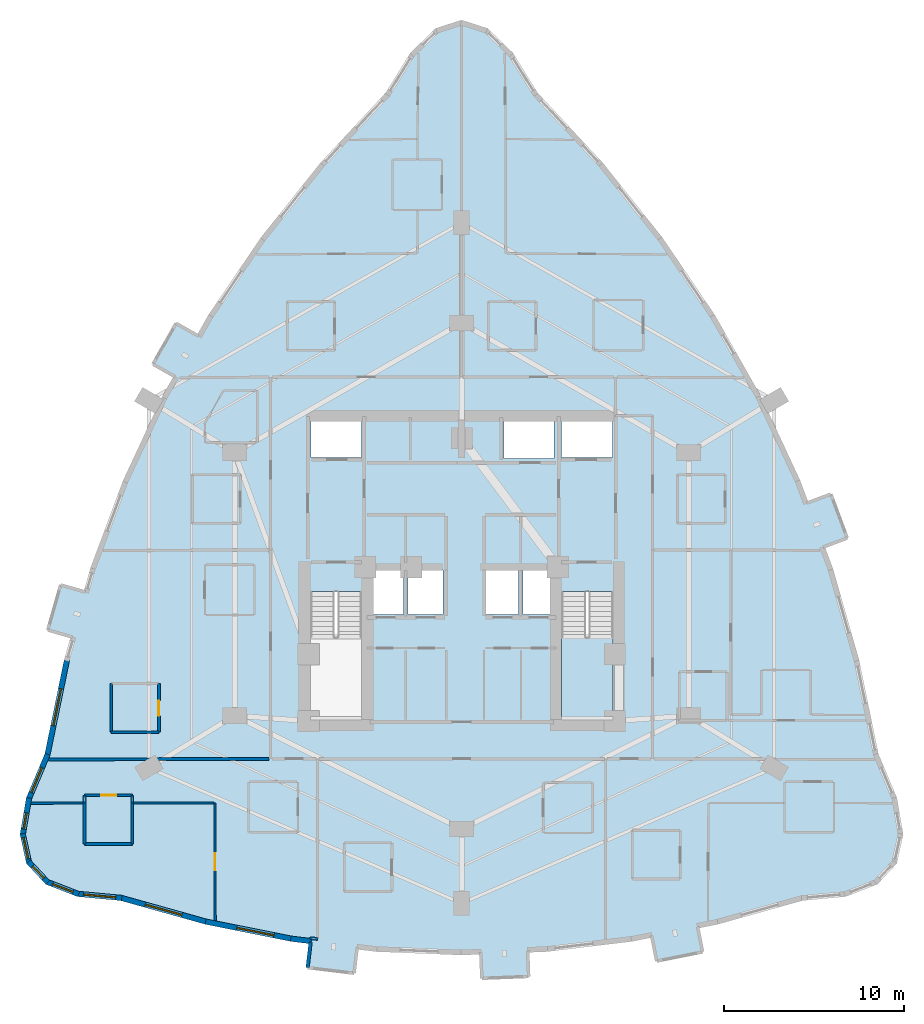
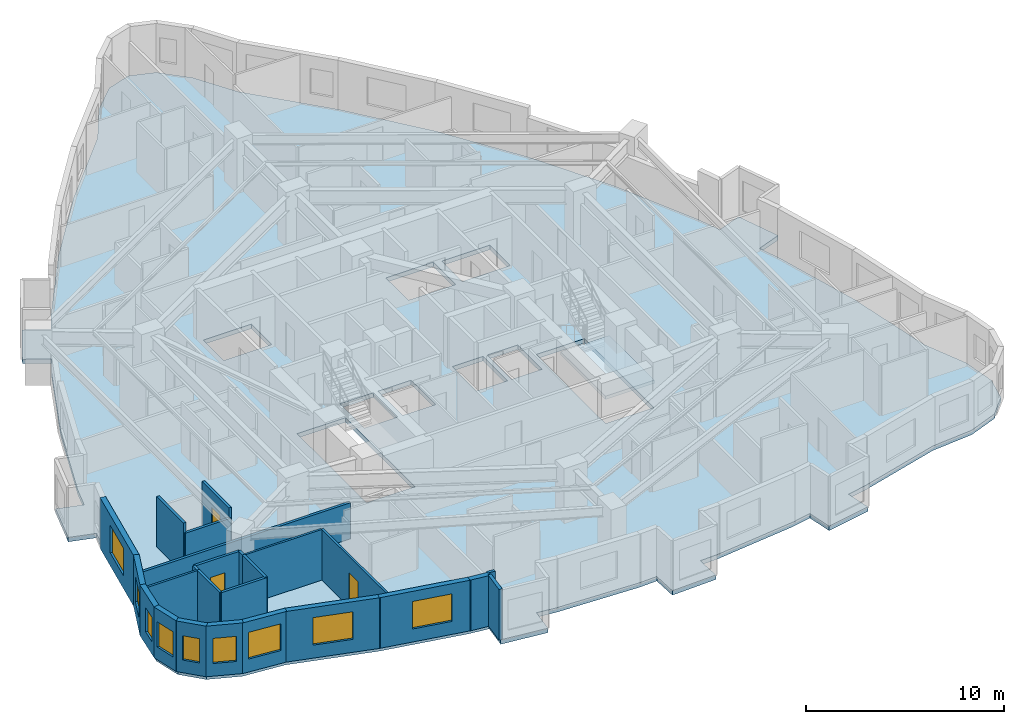
# One storey, part 4 of 11: 25 walls, 9 windows, 3 doors, 2 slabs, 12 openings, 1 element without a shape of its own.
"""IFC4 building model written with IfcOpenShell, lengths in metres."""

from ifc_helpers import new_model, si_unit, direction, frame, frame_2d, origin, place, context, subcontext, project, spatial, polyline, rectangle, outline, extrude, material, layer, layer_set, type_object, element, fill, aggregate, save


model = new_model("IFC4")

# Units and contexts
model_context = context("Model", 3, precision=1e-05, world=origin(), true_north=direction((0.0, 1.0)))
body_context = subcontext(model_context, "Body", "Model", "MODEL_VIEW")
ifc_project = project(units=[si_unit("LENGTHUNIT", "METRE"), si_unit("AREAUNIT", "SQUARE_METRE"), si_unit("VOLUMEUNIT", "CUBIC_METRE"), si_unit("PLANEANGLEUNIT", "RADIAN"), si_unit("MASSUNIT", "GRAM", prefix="KILO")], contexts=[model_context])

# Site, building, storey
site_placement = place(None, origin())
site = spatial("IfcSite", under=ifc_project, at=site_placement, CompositionType="ELEMENT")
building_placement = place(site_placement, origin())
building = spatial("IfcBuilding", under=site, at=building_placement, Name="Miruveldt Soraemaru", CompositionType="ELEMENT")
storey_placement = place(building_placement, frame((0.0, 0.0, 66.60009765625)))
storey = spatial("IfcBuildingStorey", under=building, at=storey_placement, Name="L18", CompositionType="ELEMENT", Elevation=66.60009765625)

# Stair, slab
ifc_material_1 = material(Name="Concrete C40/50 (40 MPa)", Category="concrete")
stair_type = type_object("IfcStairType", Name="STAIR-DL-340", PredefinedType="HALF_TURN_STAIR", material=ifc_material_1)
stair_placement = place(storey_placement, origin())
stair = element("IfcStair", 1, at=stair_placement, inside=storey, type_object=stair_type, Name="L18 Protected Exit Stair ST-2", PredefinedType="HALF_TURN_STAIR")
ifc_layer_1 = layer(ifc_material_1, 0.199951171875, Name="Concrete C40/50 (40 MPa)", Category="concrete")
ifc_layer_set_1 = layer_set([ifc_layer_1], Name="Concrete C40/50 (40 MPa)")
slab_type_1 = type_object("IfcSlabType", Name="SLAB-LAND-200", PredefinedType="LANDING", material=ifc_layer_set_1)
slab_1_placement = place(storey_placement, frame((0.0, 0.0, 1.5)))
slab_1 = element("IfcSlab", 2, at=slab_1_placement, type_object=slab_type_1, Name="ST-2 landing 1", PredefinedType="LANDING", context=body_context, shape_type="SweptSolid", body=[
    extrude(outline(polyline([(49.550048828125, 40.197998046875), (49.550048828125, 35.64990234375), (52.39990234375, 35.64990234375), (52.39990234375, 40.197998046875), (49.550048828125, 40.197998046875)])), origin(), (0.0, 0.0, 1.0), 0.199951171875),
])
aggregate(stair, [slab_1])

# Slab
ifc_layer_2 = layer(ifc_material_1, 0.27490234375, Name="Concrete C40/50 (40 MPa)", Category="concrete")
ifc_layer_set_2 = layer_set([ifc_layer_2], Name="Concrete C40/50 (40 MPa)")
slab_type_2 = type_object("IfcSlabType", Name="SLAB-RES1-275", PredefinedType="FLOOR", material=ifc_layer_set_2)
slab_2_placement = place(storey_placement, frame((0.0, 0.0, -0.275146484375)))
element("IfcSlab", 3, at=slab_2_placement, inside=storey, type_object=slab_type_2, Name="L18 Structural Floor Slab", PredefinedType="FLOOR", context=body_context, shape_type="SweptSolid", body=[
    extrude(outline(polyline([(45.122802734375, 21.22021484375), (45.063720703125, 22.698974609375), (46.362548828125, 22.7509765625), (44.0, 22.656494140625), (39.27490234375, 22.845458984375), (36.912353515625, 23.12890625), (38.203125, 22.97412109375), (38.02685546875, 21.504638671875), (35.4453125, 21.814453125), (35.62158203125, 23.283935546875), (34.5498046875, 23.41259765625), (29.82470703125, 24.357421875), (25.099609375, 25.6806640625), (22.7099609375, 25.9013671875), (21.003173828125, 26.5634765625), (19.97900390625, 27.667236328125), (19.6376953125, 29.21240234375), (19.97900390625, 31.19921875), (21.003173828125, 33.62744140625), (22.08251953125, 38.8720703125), (22.805419921875, 41.39990234375), (22.447998046875, 40.14990234375), (21.02490234375, 40.556884765625), (21.739990234375, 43.056640625), (23.162841796875, 42.649658203125), (23.5283203125, 43.927490234375), (25.3408203125, 48.794189453125), (27.520263671875, 53.4716796875), (28.15185546875, 54.585205078125), (26.864501953125, 55.315185546875), (28.14697265625, 57.576904296875), (29.434326171875, 56.8466796875), (28.793212890625, 55.716064453125), (30.06591796875, 57.960205078125), (32.978515625, 62.260009765625), (36.2578125, 66.37060546875), (39.903564453125, 70.2919921875), (41.26904296875, 72.49951171875), (42.634521484375, 73.823974609375), (44.0, 74.265380859375), (45.365478515625, 73.823974609375), (46.73095703125, 72.49951171875), (48.096435546875, 70.2919921875), (51.7421875, 66.37060546875), (55.021484375, 62.260009765625), (57.93408203125, 57.960205078125), (60.479736328125, 53.4716796875), (62.6591796875, 48.794189453125), (63.111572265625, 47.5791015625), (64.49853515625, 48.095703125), (65.406005859375, 45.6591796875), (64.01904296875, 45.142578125), (63.565185546875, 46.36083984375), (64.4716796875, 43.927490234375), (65.91748046875, 38.8720703125), (66.996826171875, 33.62744140625), (68.02099609375, 31.19921875), (68.3623046875, 29.21240234375), (68.02099609375, 27.667236328125), (66.996826171875, 26.5634765625), (65.2900390625, 25.9013671875), (62.900390625, 25.6806640625), (58.17529296875, 24.357421875), (57.08740234375, 24.139892578125), (57.377685546875, 22.688720703125), (54.828125, 22.1787109375), (54.537841796875, 23.6298828125), (55.812744140625, 23.885009765625), (53.4501953125, 23.41259765625), (48.72509765625, 22.845458984375), (47.66162109375, 22.802978515625), (47.720703125, 21.32421875), (45.122802734375, 21.22021484375)]), holes=[polyline([(35.614990234375, 35.6650390625), (38.43505859375, 35.6650390625), (38.43505859375, 42.68505859375), (35.614990234375, 42.68505859375), (35.614990234375, 35.6650390625)]), polyline([(49.56494140625, 35.6650390625), (52.385009765625, 35.6650390625), (52.385009765625, 42.68505859375), (49.56494140625, 42.68505859375), (49.56494140625, 35.6650390625)]), polyline([(40.764892578125, 41.4150390625), (40.764892578125, 43.885009765625), (38.81494140625, 43.885009765625), (38.81494140625, 41.4150390625), (40.764892578125, 41.4150390625)]), polyline([(42.965087890625, 41.4150390625), (42.965087890625, 43.885009765625), (41.034912109375, 43.885009765625), (41.034912109375, 41.4150390625), (42.965087890625, 41.4150390625)]), polyline([(47.1650390625, 41.4150390625), (47.1650390625, 43.885009765625), (45.364990234375, 43.885009765625), (45.364990234375, 41.4150390625), (47.1650390625, 41.4150390625)]), polyline([(49.18505859375, 41.4150390625), (49.18505859375, 43.885009765625), (47.39501953125, 43.885009765625), (47.39501953125, 41.4150390625), (49.18505859375, 41.4150390625)]), polyline([(38.445068359375, 50.135009765625), (38.445068359375, 52.205078125), (35.635009765625, 52.205078125), (35.635009765625, 50.135009765625), (38.445068359375, 50.135009765625)]), polyline([(49.554931640625, 50.135009765625), (52.364990234375, 50.135009765625), (52.364990234375, 52.205078125), (49.554931640625, 52.205078125), (49.554931640625, 50.135009765625)]), polyline([(46.364990234375, 50.06494140625), (49.135009765625, 50.06494140625), (49.135009765625, 52.3349609375), (46.364990234375, 52.3349609375), (46.364990234375, 50.06494140625)])]), origin(), (0.0, 0.0, 1.0), 0.275146484375),
])

# Wall
ifc_material_2 = material(Name="White powder-coated aluminium EN AW-6060 T6", Category="aluminium")
ifc_layer_3 = layer(ifc_material_2, 0.18994140625, Name="White powder-coated aluminium EN AW-6060 T6", Category="aluminium")
ifc_layer_set_3 = layer_set([ifc_layer_3], Name="White powder-coated aluminium EN AW-6060 T6")
wall_type_1 = type_object("IfcWallType", Name="WALL-BAY-ALU190", PredefinedType="SOLIDWALL", material=ifc_layer_set_3)
wall_1_placement = place(storey_placement, frame((35.614990234375, 23.229248046875, 0.0), z_axis=(0.0, 0.0, 1.0), x_axis=(-0.119077659317, -0.992884943511, 0.0)))
element("IfcWall", 4, at=wall_1_placement, inside=storey, type_object=wall_type_1, Name="L18 Bay Window Side Cheek 3L", PredefinedType="SOLIDWALL", context=body_context, shape_type="SweptSolid", body=[
    extrude(rectangle(XDim=1.425048828125, YDim=0.18994140625, at=frame_2d((0.71240234375, 0.0))), origin(), (0.0, 0.0, 1.0), 3.125),
])

# Wall, opening, window
ifc_material_3 = material(Name="Precast concrete C45/55 (45 MPa)", Category="concrete")
ifc_layer_4 = layer(ifc_material_3, 0.300048828125, Name="Precast concrete C45/55 (45 MPa)", Category="concrete")
ifc_layer_set_4 = layer_set([ifc_layer_4], Name="Precast concrete C45/55 (45 MPa)")
wall_type_2 = type_object("IfcWallType", Name="WALL-EXT-PC300", PredefinedType="SOLIDWALL", material=ifc_layer_set_4)
wall_2_placement = place(storey_placement, frame((22.089599609375, 38.90625, 0.0), z_axis=(0.0, 0.0, 1.0), x_axis=(-0.201583076405, -0.979471420363, 0.0)))
wall_2 = element("IfcWall", 5, at=wall_2_placement, inside=storey, type_object=wall_type_2, Name="L18 Precast Concrete Facade Wall 14", PredefinedType="SOLIDWALL", context=body_context, shape_type="SweptSolid", body=[
    extrude(rectangle(XDim=5.424560546875, YDim=0.300048828125, at=frame_2d((2.71240234375, 0.0))), origin(), (0.0, 0.0, 1.0), 3.125),
])
opening_1_placement = place(wall_2_placement, frame((1.64501953125, 0.0, 0.800048828125)))
opening_1 = element("IfcOpeningElement", 6, at=opening_1_placement, cuts=wall_2, Name="Opening WN-1", PredefinedType="OPENING", context=body_context, shape_type="SweptSolid", body=[
    extrude(rectangle(XDim=2.10009765625, YDim=1.699951171875, at=frame_2d((1.050048828125, 0.85009765625))), frame((0.0, 0.16015625, 0.0), z_axis=(0.0, -1.0, 0.0), x_axis=(1.0, 0.0, 0.0)), (0.0, 0.0, 1.0), 0.320068359375),
])
ifc_material_4 = material(Name="Triple low-e insulated glazing", Category="glass")
window_type_1 = type_object("IfcWindowType", Name="WIN-PUNCH-2100x1700", PartitioningType="SINGLE_PANEL", PredefinedType="WINDOW", material=ifc_material_4)
window_1_placement = place(opening_1_placement, origin())
window_1 = element("IfcWindow", 7, at=window_1_placement, inside=storey, type_object=window_type_1, Name="L18 Punched Triple-Glazed Window 14.1", OverallHeight=1.699951171875, OverallWidth=2.10009765625, PartitioningType="SINGLE_PANEL", PredefinedType="WINDOW", context=body_context, shape_type="SweptSolid", body=[
    extrude(rectangle(XDim=2.10009765625, YDim=1.699951171875, at=frame_2d((1.050048828125, 0.85009765625))), frame((0.0, 0.030029296875, 0.0), z_axis=(0.0, -1.0, 0.0), x_axis=(1.0, 0.0, 0.0)), (0.0, 0.0, 1.0), 0.06005859375),
])
fill(opening_1, window_1)

wall_3_placement = place(storey_placement, frame((21.016845703125, 33.65966796875, 0.0), z_axis=(0.0, 0.0, 1.0), x_axis=(-0.388674171287, -0.921375270221, 0.0)))
wall_3 = element("IfcWall", 8, at=wall_3_placement, inside=storey, type_object=wall_type_2, Name="L18 Precast Concrete Facade Wall 15", PredefinedType="SOLIDWALL", context=body_context, shape_type="SweptSolid", body=[
    extrude(rectangle(XDim=2.705322265625, YDim=0.300048828125, at=frame_2d((1.3525390625, 0.0))), origin(), (0.0, 0.0, 1.0), 3.125),
])
opening_2_placement = place(wall_3_placement, frame((0.805908203125, 0.0, 0.800048828125)))
opening_2 = element("IfcOpeningElement", 9, at=opening_2_placement, cuts=wall_3, Name="Opening WN-3", PredefinedType="OPENING", context=body_context, shape_type="SweptSolid", body=[
    extrude(rectangle(XDim=1.5, YDim=1.60009765625, at=frame_2d((0.75, 0.800048828125))), frame((0.0, 0.16015625, 0.0), z_axis=(0.0, -1.0, 0.0), x_axis=(1.0, 0.0, 0.0)), (0.0, 0.0, 1.0), 0.320068359375),
])
window_type_2 = type_object("IfcWindowType", Name="WIN-PUNCH-1500x1600", PartitioningType="SINGLE_PANEL", PredefinedType="WINDOW", material=ifc_material_4)
window_2_placement = place(opening_2_placement, origin())
window_2 = element("IfcWindow", 10, at=window_2_placement, inside=storey, type_object=window_type_2, Name="L18 Punched Triple-Glazed Window 15.1", OverallHeight=1.60009765625, OverallWidth=1.5, PartitioningType="SINGLE_PANEL", PredefinedType="WINDOW", context=body_context, shape_type="SweptSolid", body=[
    extrude(rectangle(XDim=1.5, YDim=1.60009765625, at=frame_2d((0.75, 0.800048828125))), frame((0.0, 0.030029296875, 0.0), z_axis=(0.0, -1.0, 0.0), x_axis=(1.0, 0.0, 0.0)), (0.0, 0.0, 1.0), 0.06005859375),
])
fill(opening_2, window_2)

wall_4_placement = place(storey_placement, frame((19.98486328125, 31.233642578125, 0.0), z_axis=(0.0, 0.0, 1.0), x_axis=(-0.169256203907, -0.985572086374, 0.0)))
wall_4 = element("IfcWall", 11, at=wall_4_placement, inside=storey, type_object=wall_type_2, Name="L18 Precast Concrete Facade Wall 16", PredefinedType="SOLIDWALL", context=body_context, shape_type="SweptSolid", body=[
    extrude(rectangle(XDim=2.085693359375, YDim=0.300048828125, at=frame_2d((1.04296875, 0.0))), origin(), (0.0, 0.0, 1.0), 3.125),
])
opening_3_placement = place(wall_4_placement, frame((0.85009765625, 0.0, 0.780029296875)))
opening_3 = element("IfcOpeningElement", 12, at=opening_3_placement, cuts=wall_4, Name="Opening WN-7", PredefinedType="OPENING", context=body_context, shape_type="SweptSolid", body=[
    extrude(rectangle(XDim=0.89990234375, YDim=1.5, at=frame_2d((0.449951171875, 0.75))), frame((0.0, 0.16015625, 0.0), z_axis=(0.0, -1.0, 0.0), x_axis=(1.0, 0.0, 0.0)), (0.0, 0.0, 1.0), 0.320068359375),
])
window_type_3 = type_object("IfcWindowType", Name="WIN-PUNCH-900x1500", PartitioningType="SINGLE_PANEL", PredefinedType="WINDOW", material=ifc_material_4)
window_3_placement = place(opening_3_placement, origin())
window_3 = element("IfcWindow", 13, at=window_3_placement, inside=storey, type_object=window_type_3, Name="L18 Punched Triple-Glazed Window 16.1", OverallHeight=1.5, OverallWidth=0.89990234375, PartitioningType="SINGLE_PANEL", PredefinedType="WINDOW", context=body_context, shape_type="SweptSolid", body=[
    extrude(rectangle(XDim=0.89990234375, YDim=1.5, at=frame_2d((0.449951171875, 0.75))), frame((0.0, 0.030029296875, 0.0), z_axis=(0.0, -1.0, 0.0), x_axis=(1.0, 0.0, 0.0)), (0.0, 0.0, 1.0), 0.06005859375),
])
fill(opening_3, window_3)

wall_5_placement = place(storey_placement, frame((19.630126953125, 29.24658203125, 0.0), z_axis=(0.0, 0.0, 1.0), x_axis=(0.21571007503, -0.976457456078, 0.0)))
wall_5 = element("IfcWall", 14, at=wall_5_placement, inside=storey, type_object=wall_type_2, Name="L18 Precast Concrete Facade Wall 17", PredefinedType="SOLIDWALL", context=body_context, shape_type="SweptSolid", body=[
    extrude(rectangle(XDim=1.65234375, YDim=0.300048828125, at=frame_2d((0.826171875, 0.0))), origin(), (0.0, 0.0, 1.0), 3.125),
])
opening_4_placement = place(wall_5_placement, frame((0.22607421875, 0.0, 0.780029296875)))
opening_4 = element("IfcOpeningElement", 15, at=opening_4_placement, cuts=wall_5, Name="Opening WN-4", PredefinedType="OPENING", context=body_context, shape_type="SweptSolid", body=[
    extrude(rectangle(XDim=1.199951171875, YDim=1.550048828125, at=frame_2d((0.60009765625, 0.77490234375))), frame((0.0, 0.16015625, 0.0), z_axis=(0.0, -1.0, 0.0), x_axis=(1.0, 0.0, 0.0)), (0.0, 0.0, 1.0), 0.320068359375),
])
window_type_4 = type_object("IfcWindowType", Name="WIN-PUNCH-1200x1550", PartitioningType="SINGLE_PANEL", PredefinedType="WINDOW", material=ifc_material_4)
window_4_placement = place(opening_4_placement, origin())
window_4 = element("IfcWindow", 16, at=window_4_placement, inside=storey, type_object=window_type_4, Name="L18 Punched Triple-Glazed Window 17.1", OverallHeight=1.550048828125, OverallWidth=1.199951171875, PartitioningType="SINGLE_PANEL", PredefinedType="WINDOW", context=body_context, shape_type="SweptSolid", body=[
    extrude(rectangle(XDim=1.199951171875, YDim=1.550048828125, at=frame_2d((0.60009765625, 0.77490234375))), frame((0.0, 0.030029296875, 0.0), z_axis=(0.0, -1.0, 0.0), x_axis=(1.0, 0.0, 0.0)), (0.0, 0.0, 1.0), 0.06005859375),
])
fill(opening_4, window_4)

wall_6_placement = place(storey_placement, frame((19.955078125, 27.693115234375, 0.0), z_axis=(0.0, 0.0, 1.0), x_axis=(0.680201509312, -0.73302517469, 0.0)))
wall_6 = element("IfcWall", 17, at=wall_6_placement, inside=storey, type_object=wall_type_2, Name="L18 Precast Concrete Facade Wall 18", PredefinedType="SOLIDWALL", context=body_context, shape_type="SweptSolid", body=[
    extrude(rectangle(XDim=1.575927734375, YDim=0.300048828125, at=frame_2d((0.7880859375, 0.0))), origin(), (0.0, 0.0, 1.0), 3.125),
])
opening_5_placement = place(wall_6_placement, frame((0.337890625, 0.0, 0.780029296875)))
opening_5 = element("IfcOpeningElement", 18, at=opening_5_placement, cuts=wall_6, Name="Opening WN-7", PredefinedType="OPENING", context=body_context, shape_type="SweptSolid", body=[
    extrude(rectangle(XDim=0.89990234375, YDim=1.5, at=frame_2d((0.449951171875, 0.75))), frame((0.0, 0.16015625, 0.0), z_axis=(0.0, -1.0, 0.0), x_axis=(1.0, 0.0, 0.0)), (0.0, 0.0, 1.0), 0.320068359375),
])
window_5_placement = place(opening_5_placement, origin())
window_5 = element("IfcWindow", 19, at=window_5_placement, inside=storey, type_object=window_type_3, Name="L18 Punched Triple-Glazed Window 18.1", OverallHeight=1.5, OverallWidth=0.89990234375, PartitioningType="SINGLE_PANEL", PredefinedType="WINDOW", context=body_context, shape_type="SweptSolid", body=[
    extrude(rectangle(XDim=0.89990234375, YDim=1.5, at=frame_2d((0.449951171875, 0.75))), frame((0.0, 0.030029296875, 0.0), z_axis=(0.0, -1.0, 0.0), x_axis=(1.0, 0.0, 0.0)), (0.0, 0.0, 1.0), 0.06005859375),
])
fill(opening_5, window_5)

wall_7_placement = place(storey_placement, frame((20.970703125, 26.576171875, 0.0), z_axis=(0.0, 0.0, 1.0), x_axis=(0.932288833734, -0.361714708707, 0.0)))
wall_7 = element("IfcWall", 20, at=wall_7_placement, inside=storey, type_object=wall_type_2, Name="L18 Precast Concrete Facade Wall 19", PredefinedType="SOLIDWALL", context=body_context, shape_type="SweptSolid", body=[
    extrude(rectangle(XDim=1.900634765625, YDim=0.300048828125, at=frame_2d((0.9501953125, 0.0))), origin(), (0.0, 0.0, 1.0), 3.125),
])
opening_6_placement = place(wall_7_placement, frame((0.35107421875, 0.0, 0.780029296875)))
opening_6 = element("IfcOpeningElement", 21, at=opening_6_placement, cuts=wall_7, Name="Opening WN-4", PredefinedType="OPENING", context=body_context, shape_type="SweptSolid", body=[
    extrude(rectangle(XDim=1.199951171875, YDim=1.550048828125, at=frame_2d((0.60009765625, 0.77490234375))), frame((0.0, 0.16015625, 0.0), z_axis=(0.0, -1.0, 0.0), x_axis=(1.0, 0.0, 0.0)), (0.0, 0.0, 1.0), 0.320068359375),
])
window_6_placement = place(opening_6_placement, origin())
window_6 = element("IfcWindow", 22, at=window_6_placement, inside=storey, type_object=window_type_4, Name="L18 Punched Triple-Glazed Window 19.1", OverallHeight=1.550048828125, OverallWidth=1.199951171875, PartitioningType="SINGLE_PANEL", PredefinedType="WINDOW", context=body_context, shape_type="SweptSolid", body=[
    extrude(rectangle(XDim=1.199951171875, YDim=1.550048828125, at=frame_2d((0.60009765625, 0.77490234375))), frame((0.0, 0.030029296875, 0.0), z_axis=(0.0, -1.0, 0.0), x_axis=(1.0, 0.0, 0.0)), (0.0, 0.0, 1.0), 0.06005859375),
])
fill(opening_6, window_6)

wall_8_placement = place(storey_placement, frame((22.675048828125, 25.904541015625, 0.0), z_axis=(0.0, 0.0, 1.0), x_axis=(0.995765843862, -0.091925971292, 0.0)))
wall_8 = element("IfcWall", 23, at=wall_8_placement, inside=storey, type_object=wall_type_2, Name="L18 Precast Concrete Facade Wall 20", PredefinedType="SOLIDWALL", context=body_context, shape_type="SweptSolid", body=[
    extrude(rectangle(XDim=2.469970703125, YDim=0.300048828125, at=frame_2d((1.23486328125, 0.0))), origin(), (0.0, 0.0, 1.0), 3.125),
])
opening_7_placement = place(wall_8_placement, frame((0.3349609375, 0.0, 0.800048828125)))
opening_7 = element("IfcOpeningElement", 24, at=opening_7_placement, cuts=wall_8, Name="Opening WN-2", PredefinedType="OPENING", context=body_context, shape_type="SweptSolid", body=[
    extrude(rectangle(XDim=1.800048828125, YDim=1.64990234375, at=frame_2d((0.89990234375, 0.824951171875))), frame((0.0, 0.16015625, 0.0), z_axis=(0.0, -1.0, 0.0), x_axis=(1.0, 0.0, 0.0)), (0.0, 0.0, 1.0), 0.320068359375),
])
window_type_5 = type_object("IfcWindowType", Name="WIN-PUNCH-1800x1650", PartitioningType="SINGLE_PANEL", PredefinedType="WINDOW", material=ifc_material_4)
window_7_placement = place(opening_7_placement, origin())
window_7 = element("IfcWindow", 25, at=window_7_placement, inside=storey, type_object=window_type_5, Name="L18 Punched Triple-Glazed Window 20.1", OverallHeight=1.64990234375, OverallWidth=1.800048828125, PartitioningType="SINGLE_PANEL", PredefinedType="WINDOW", context=body_context, shape_type="SweptSolid", body=[
    extrude(rectangle(XDim=1.800048828125, YDim=1.64990234375, at=frame_2d((0.89990234375, 0.824951171875))), frame((0.0, 0.030029296875, 0.0), z_axis=(0.0, -1.0, 0.0), x_axis=(1.0, 0.0, 0.0)), (0.0, 0.0, 1.0), 0.06005859375),
])
fill(opening_7, window_7)

wall_9_placement = place(storey_placement, frame((25.06591796875, 25.68994140625, 0.0), z_axis=(0.0, 0.0, 1.0), x_axis=(0.962969114378, -0.269611729629, 0.0)))
wall_9 = element("IfcWall", 26, at=wall_9_placement, inside=storey, type_object=wall_type_2, Name="L18 Precast Concrete Facade Wall 21", PredefinedType="SOLIDWALL", context=body_context, shape_type="SweptSolid", body=[
    extrude(rectangle(XDim=4.976806640625, YDim=0.300048828125, at=frame_2d((2.48828125, 0.0))), origin(), (0.0, 0.0, 1.0), 3.125),
])
opening_8_placement = place(wall_9_placement, frame((1.43798828125, 0.0, 0.800048828125)))
opening_8 = element("IfcOpeningElement", 27, at=opening_8_placement, cuts=wall_9, Name="Opening WN-1", PredefinedType="OPENING", context=body_context, shape_type="SweptSolid", body=[
    extrude(rectangle(XDim=2.10009765625, YDim=1.699951171875, at=frame_2d((1.050048828125, 0.85009765625))), frame((0.0, 0.16015625, 0.0), z_axis=(0.0, -1.0, 0.0), x_axis=(1.0, 0.0, 0.0)), (0.0, 0.0, 1.0), 0.320068359375),
])
window_8_placement = place(opening_8_placement, origin())
window_8 = element("IfcWindow", 28, at=window_8_placement, inside=storey, type_object=window_type_1, Name="L18 Punched Triple-Glazed Window 21.1", OverallHeight=1.699951171875, OverallWidth=2.10009765625, PartitioningType="SINGLE_PANEL", PredefinedType="WINDOW", context=body_context, shape_type="SweptSolid", body=[
    extrude(rectangle(XDim=2.10009765625, YDim=1.699951171875, at=frame_2d((1.050048828125, 0.85009765625))), frame((0.0, 0.030029296875, 0.0), z_axis=(0.0, -1.0, 0.0), x_axis=(1.0, 0.0, 0.0)), (0.0, 0.0, 1.0), 0.06005859375),
])
fill(opening_8, window_8)

wall_10_placement = place(storey_placement, frame((29.79052734375, 24.364501953125, 0.0), z_axis=(0.0, 0.0, 1.0), x_axis=(0.980569148828, -0.19617376065, 0.0)))
wall_10 = element("IfcWall", 29, at=wall_10_placement, inside=storey, type_object=wall_type_2, Name="L18 Precast Concrete Facade Wall 22", PredefinedType="SOLIDWALL", context=body_context, shape_type="SweptSolid", body=[
    extrude(rectangle(XDim=4.888427734375, YDim=0.300048828125, at=frame_2d((2.4443359375, 0.0))), origin(), (0.0, 0.0, 1.0), 3.125),
])
opening_9_placement = place(wall_10_placement, frame((1.76708984375, 0.0, 0.800048828125)))
opening_9 = element("IfcOpeningElement", 30, at=opening_9_placement, cuts=wall_10, Name="Opening WN-1", PredefinedType="OPENING", context=body_context, shape_type="SweptSolid", body=[
    extrude(rectangle(XDim=2.10009765625, YDim=1.699951171875, at=frame_2d((1.050048828125, 0.85009765625))), frame((0.0, 0.16015625, 0.0), z_axis=(0.0, -1.0, 0.0), x_axis=(1.0, 0.0, 0.0)), (0.0, 0.0, 1.0), 0.320068359375),
])
window_9_placement = place(opening_9_placement, origin())
window_9 = element("IfcWindow", 31, at=window_9_placement, inside=storey, type_object=window_type_1, Name="L18 Punched Triple-Glazed Window 22.1", OverallHeight=1.699951171875, OverallWidth=2.10009765625, PartitioningType="SINGLE_PANEL", PredefinedType="WINDOW", context=body_context, shape_type="SweptSolid", body=[
    extrude(rectangle(XDim=2.10009765625, YDim=1.699951171875, at=frame_2d((1.050048828125, 0.85009765625))), frame((0.0, 0.030029296875, 0.0), z_axis=(0.0, -1.0, 0.0), x_axis=(1.0, 0.0, 0.0)), (0.0, 0.0, 1.0), 0.06005859375),
])
fill(opening_9, window_9)

# Wall
wall_11_placement = place(storey_placement, frame((34.514892578125, 23.416748046875, 0.0), z_axis=(0.0, 0.0, 1.0), x_axis=(0.99286674232, -0.119229325232, 0.0)))
element("IfcWall", 32, at=wall_11_placement, inside=storey, type_object=wall_type_2, Name="L18 Precast Pier Wall 23A", PredefinedType="SOLIDWALL", context=body_context, shape_type="SweptSolid", body=[
    extrude(rectangle(XDim=1.14453125, YDim=0.300048828125, at=frame_2d((0.572265625, 0.0))), origin(), (0.0, 0.0, 1.0), 3.125),
])

# Wall, opening, door
ifc_material_5 = material(Name="Gypsum plasterboard lining", Category="gypsum")
ifc_layer_5 = layer(ifc_material_5, 0.1201171875, Name="Gypsum plasterboard lining", Category="gypsum")
ifc_layer_set_5 = layer_set([ifc_layer_5], Name="Gypsum plasterboard lining")
wall_type_3 = type_object("IfcWallType", Name="WALL-INT-P120", PredefinedType="PARTITIONING", material=ifc_layer_set_5)
wall_12_placement = place(storey_placement, frame((30.302001953125, 30.949951171875, 0.0), z_axis=(0.0, 0.0, 1.0), x_axis=(0.002619947592, -0.999996567931, 0.0)))
wall_12 = element("IfcWall", 33, at=wall_12_placement, inside=storey, type_object=wall_type_3, Name="L18 Partition Wall 88", PredefinedType="PARTITIONING", context=body_context, shape_type="SweptSolid", body=[
    extrude(rectangle(XDim=6.52294921875, YDim=0.1201171875, at=frame_2d((3.261474609375, 0.0))), origin(), (0.0, 0.0, 1.0), 3.125),
])
opening_10_placement = place(wall_12_placement, frame((2.802001953125, 0.0, 0.0)))
opening_10 = element("IfcOpeningElement", 34, at=opening_10_placement, cuts=wall_12, Name="Opening D3A", PredefinedType="OPENING", context=body_context, shape_type="SweptSolid", body=[
    extrude(rectangle(XDim=0.919921875, YDim=2.10009765625, at=frame_2d((0.4599609375, 1.050048828125))), frame((0.0, 0.070068359375, 0.0), z_axis=(0.0, -1.0, 0.0), x_axis=(1.0, 0.0, 0.0)), (0.0, 0.0, 1.0), 0.14013671875),
])
ifc_material_6 = material(Name="Anodised aluminium EN AW-6063 T6", Category="aluminium")
door_type_1 = type_object("IfcDoorType", Name="DOOR-INT-920", OperationType="NOTDEFINED", PredefinedType="DOOR", material=ifc_material_6)
door_1_placement = place(opening_10_placement, origin())
door_1 = element("IfcDoor", 35, at=door_1_placement, inside=storey, type_object=door_type_1, Name="L18 Unit 1807 BD1 Door", OperationType="SINGLE_SWING_RIGHT", OverallHeight=2.10009765625, OverallWidth=0.919921875, PredefinedType="DOOR", context=body_context, shape_type="SweptSolid", body=[
    extrude(rectangle(XDim=0.919921875, YDim=2.10009765625, at=frame_2d((0.4599609375, 1.050048828125))), frame((0.0, 0.02490234375, 0.0), z_axis=(0.0, -1.0, 0.0), x_axis=(1.0, 0.0, 0.0)), (0.0, 0.0, 1.0), 0.050048828125),
])
fill(opening_10, door_1)

# Walls
wall_13_placement = place(storey_placement, frame((25.777099609375, 30.949951171875, 0.0), z_axis=(0.0, 0.0, 1.0), x_axis=(1.0, 0.0, 0.0)))
element("IfcWall", 36, at=wall_13_placement, inside=storey, type_object=wall_type_3, Name="L18 Partition Wall 87", PredefinedType="PARTITIONING", context=body_context, shape_type="SweptSolid", body=[
    extrude(rectangle(XDim=4.46484375, YDim=0.1201171875, at=frame_2d((2.232421875, 0.0))), origin(), (0.0, 0.0, 1.0), 3.125),
])
wall_14_placement = place(storey_placement, frame((20.10107421875, 30.93603515625, 0.0), z_axis=(0.0, 0.0, 1.0), x_axis=(0.999988534332, 0.004788653823, 0.0)))
element("IfcWall", 37, at=wall_14_placement, inside=storey, type_object=wall_type_3, Name="L18 Partition Wall 86", PredefinedType="PARTITIONING", context=body_context, shape_type="SweptSolid", body=[
    extrude(rectangle(XDim=2.906005859375, YDim=0.1201171875, at=frame_2d((1.453125, 0.0))), origin(), (0.0, 0.0, 1.0), 3.125),
])

# Wall, opening, door
ifc_layer_6 = layer(ifc_material_5, 0.14990234375, Name="Gypsum plasterboard lining", Category="gypsum")
ifc_layer_set_6 = layer_set([ifc_layer_6], Name="Gypsum plasterboard lining")
wall_type_4 = type_object("IfcWallType", Name="WALL-INT-PLUMB", PredefinedType="PLUMBINGWALL", material=ifc_layer_set_6)
wall_15_placement = place(storey_placement, frame((27.196044921875, 34.8798828125, 0.0), z_axis=(0.0, 0.0, 1.0), x_axis=(0.0, 1.0, 0.0)))
wall_15 = element("IfcWall", 38, at=wall_15_placement, inside=storey, type_object=wall_type_4, Name="L18 Partition Wall 52", PredefinedType="PLUMBINGWALL", context=body_context, shape_type="SweptSolid", body=[
    extrude(rectangle(XDim=2.7001953125, YDim=0.14990234375, at=frame_2d((1.35009765625, 0.0))), origin(), (0.0, 0.0, 1.0), 3.125),
])
opening_11_placement = place(wall_15_placement, frame((0.909912109375, 0.0, 0.0)))
opening_11 = element("IfcOpeningElement", 39, at=opening_11_placement, cuts=wall_15, Name="Opening FD3", PredefinedType="OPENING", context=body_context, shape_type="SweptSolid", body=[
    extrude(rectangle(XDim=0.85009765625, YDim=2.10009765625, at=frame_2d((0.425048828125, 1.050048828125))), frame((0.0, 0.0849609375, 0.0), z_axis=(0.0, -1.0, 0.0), x_axis=(1.0, 0.0, 0.0)), (0.0, 0.0, 1.0), 0.169921875),
])
door_type_2 = type_object("IfcDoorType", Name="DOOR-FD3-850", OperationType="NOTDEFINED", PredefinedType="DOOR", material=ifc_material_6)
door_2_placement = place(opening_11_placement, origin())
door_2 = element("IfcDoor", 40, at=door_2_placement, inside=storey, type_object=door_type_2, Name="L18 Unit CL04 BTH Door", OperationType="SINGLE_SWING_LEFT", OverallHeight=2.10009765625, OverallWidth=0.85009765625, PredefinedType="DOOR", context=body_context, shape_type="SweptSolid", body=[
    extrude(rectangle(XDim=0.85009765625, YDim=2.10009765625, at=frame_2d((0.425048828125, 1.050048828125))), frame((0.0, 0.02490234375, 0.0), z_axis=(0.0, -1.0, 0.0), x_axis=(1.0, 0.0, 0.0)), (0.0, 0.0, 1.0), 0.050048828125),
])
fill(opening_11, door_2)

wall_16_placement = place(storey_placement, frame((25.717041015625, 31.376953125, 0.0), z_axis=(0.0, 0.0, 1.0), x_axis=(-1.0, 0.0, 0.0)))
wall_16 = element("IfcWall", 41, at=wall_16_placement, inside=storey, type_object=wall_type_4, Name="L18 Partition Wall 80", PredefinedType="PLUMBINGWALL", context=body_context, shape_type="SweptSolid", body=[
    extrude(rectangle(XDim=2.650146484375, YDim=0.14990234375, at=frame_2d((1.3251953125, 0.0))), origin(), (0.0, 0.0, 1.0), 3.125),
])
opening_12_placement = place(wall_16_placement, frame((0.885009765625, 0.0, 0.0)))
opening_12 = element("IfcOpeningElement", 42, at=opening_12_placement, cuts=wall_16, Name="Opening FD3", PredefinedType="OPENING", context=body_context, shape_type="SweptSolid", body=[
    extrude(rectangle(XDim=0.85009765625, YDim=2.10009765625, at=frame_2d((0.425048828125, 1.050048828125))), frame((0.0, 0.0849609375, 0.0), z_axis=(0.0, -1.0, 0.0), x_axis=(1.0, 0.0, 0.0)), (0.0, 0.0, 1.0), 0.169921875),
])
door_3_placement = place(opening_12_placement, origin())
door_3 = element("IfcDoor", 43, at=door_3_placement, inside=storey, type_object=door_type_2, Name="L18 Unit 1807 BTH Door", OperationType="SINGLE_SWING_RIGHT", OverallHeight=2.10009765625, OverallWidth=0.85009765625, PredefinedType="DOOR", context=body_context, shape_type="SweptSolid", body=[
    extrude(rectangle(XDim=0.85009765625, YDim=2.10009765625, at=frame_2d((0.425048828125, 1.050048828125))), frame((0.0, 0.02490234375, 0.0), z_axis=(0.0, -1.0, 0.0), x_axis=(1.0, 0.0, 0.0)), (0.0, 0.0, 1.0), 0.050048828125),
])
fill(opening_12, door_3)

# Walls
wall_17_placement = place(storey_placement, frame((24.5458984375, 37.580078125, 0.0), z_axis=(0.0, 0.0, 1.0), x_axis=(0.0, -1.0, 0.0)))
element("IfcWall", 44, at=wall_17_placement, inside=storey, type_object=wall_type_4, Name="L18 Partition Wall 54", PredefinedType="PLUMBINGWALL", context=body_context, shape_type="SweptSolid", body=[
    extrude(rectangle(XDim=2.7001953125, YDim=0.14990234375, at=frame_2d((1.35009765625, 0.0))), origin(), (0.0, 0.0, 1.0), 3.125),
])
wall_18_placement = place(storey_placement, frame((24.5458984375, 34.8798828125, 0.0), z_axis=(0.0, 0.0, 1.0), x_axis=(1.0, 0.0, 0.0)))
element("IfcWall", 45, at=wall_18_placement, inside=storey, type_object=wall_type_4, Name="L18 Partition Wall 55", PredefinedType="PLUMBINGWALL", context=body_context, shape_type="SweptSolid", body=[
    extrude(rectangle(XDim=2.650146484375, YDim=0.14990234375, at=frame_2d((1.3251953125, 0.0))), origin(), (0.0, 0.0, 1.0), 2.512939453125),
])
wall_19_placement = place(storey_placement, frame((23.06689453125, 28.677001953125, 0.0), z_axis=(0.0, 0.0, 1.0), x_axis=(1.0, 0.0, 0.0)))
element("IfcWall", 46, at=wall_19_placement, inside=storey, type_object=wall_type_4, Name="L18 Partition Wall 91", PredefinedType="PLUMBINGWALL", context=body_context, shape_type="SweptSolid", body=[
    extrude(rectangle(XDim=2.650146484375, YDim=0.14990234375, at=frame_2d((1.3251953125, 0.0))), origin(), (0.0, 0.0, 1.0), 3.125),
])
for number, where, z_axis, x_axis, name in (
    (47, (23.06689453125, 30.949951171875, 0.0), (0.0, 0.0, 1.0), (0.0, -1.0, 0.0), "L18 Partition Wall 90"),
    (48, (25.717041015625, 28.677001953125, 0.0), (0.0, 0.0, 1.0), (0.0, 1.0, 0.0), "L18 Partition Wall 92"),
):
    element("IfcWall", number, at=place(storey_placement, frame(where, z_axis=z_axis, x_axis=x_axis)), inside=storey, type_object=wall_type_4, Name=name, PredefinedType="PLUMBINGWALL", context=body_context, shape_type="SweptSolid", body=[
        extrude(rectangle(XDim=2.27294921875, YDim=0.14990234375, at=frame_2d((1.136474609375, 0.0))), origin(), (0.0, 0.0, 1.0), 3.125),
    ])
for number, where, z_axis, x_axis, name in (
    (49, (25.717041015625, 30.949951171875, 0.0), (0.0, 0.0, 1.0), (0.0, 1.0, 0.0), "L18 Partition Wall 79"),
    (50, (23.06689453125, 31.376953125, 0.0), (0.0, 0.0, 1.0), (0.0, -1.0, 0.0), "L18 Partition Wall 81"),
):
    element("IfcWall", number, at=place(storey_placement, frame(where, z_axis=z_axis, x_axis=x_axis)), inside=storey, type_object=wall_type_4, Name=name, PredefinedType="PLUMBINGWALL", context=body_context, shape_type="SweptSolid", body=[
        extrude(rectangle(XDim=0.427001953125, YDim=0.14990234375, at=frame_2d((0.21337890625, 0.0))), origin(), (0.0, 0.0, 1.0), 3.125),
    ])
ifc_layer_7 = layer(ifc_material_1, 0.159912109375, Name="Concrete C40/50 (40 MPa)", Category="concrete")
ifc_layer_set_7 = layer_set([ifc_layer_7], Name="Concrete C40/50 (40 MPa)")
wall_type_5 = type_object("IfcWallType", Name="WALL-INT-RC160", PredefinedType="SOLIDWALL", material=ifc_layer_set_7)
wall_20_placement = place(storey_placement, frame((21.072021484375, 33.366943359375, 0.0), z_axis=(0.0, 0.0, 1.0), x_axis=(0.999996379391, 0.002690948637, 0.0)))
element("IfcWall", 51, at=wall_20_placement, inside=storey, type_object=wall_type_5, Name="L18 Partition Wall 60", PredefinedType="SOLIDWALL", context=body_context, shape_type="SweptSolid", body=[
    extrude(rectangle(XDim=12.248046875, YDim=0.159912109375, at=frame_2d((6.1240234375, 0.0))), origin(), (0.0, 0.0, 1.0), 2.219970703125),
])
wall_21_placement = place(storey_placement, frame((36.010009765625, 23.403076171875, 0.0), z_axis=(0.0, 0.0, 1.0), x_axis=(-0.994609700136, 0.103689654237, 0.0)))
element("IfcWall", 52, at=wall_21_placement, inside=storey, type_object=wall_type_5, Name="L18 Partition Closure Return 1", PredefinedType="SOLIDWALL", context=body_context, shape_type="SweptSolid", body=[
    extrude(rectangle(XDim=0.42138671875, YDim=0.159912109375, at=frame_2d((0.210693359375, 0.0))), origin(), (0.0, 0.0, 1.0), 3.125),
])

save(model, "model.ifc")
